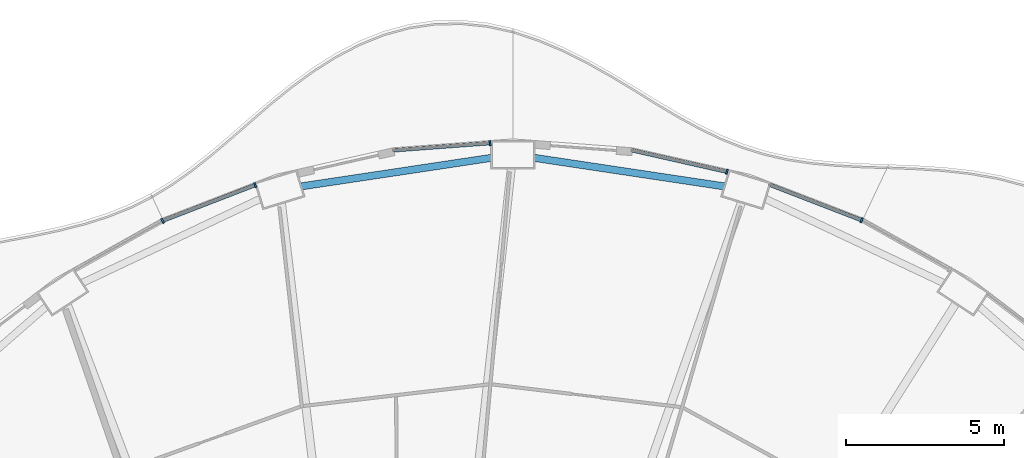
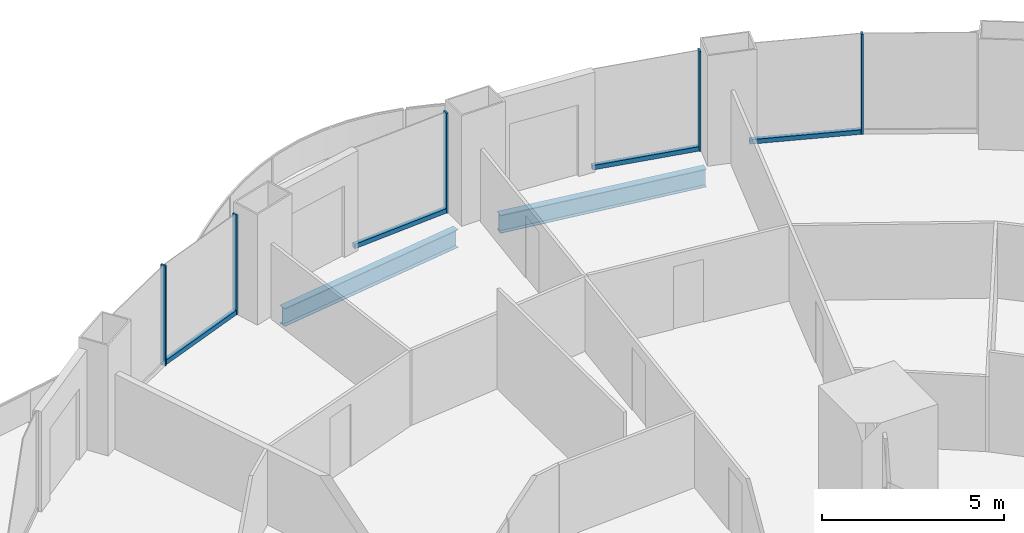
# One storey, part 11 of 22: 9 members, 2 beams, 5 elements without a shape of their own.
"""IFC4 building model written with IfcOpenShell, lengths in metres."""

from ifc_helpers import new_model, si_unit, direction, frame, origin, origin_2d, place, context, subcontext, project, spatial, rectangle, i_section, extrude, material, layer, layer_set, material_profile, profile_set, type_object, element, aggregate, save


model = new_model("IFC4")

# Units and contexts
model_context = context("Model", 3, precision=1e-05, world=origin(), true_north=direction((0.0, 1.0)))
body_context = subcontext(model_context, "Body", "Model", "MODEL_VIEW")
ifc_project = project(units=[si_unit("LENGTHUNIT", "METRE"), si_unit("AREAUNIT", "SQUARE_METRE"), si_unit("VOLUMEUNIT", "CUBIC_METRE"), si_unit("PLANEANGLEUNIT", "RADIAN"), si_unit("MASSUNIT", "GRAM", prefix="KILO")], contexts=[model_context])

# Site, building, storey
site_placement = place(None, origin())
site = spatial("IfcSite", under=ifc_project, at=site_placement, CompositionType="ELEMENT")
building_placement = place(site_placement, origin())
building = spatial("IfcBuilding", under=site, at=building_placement, Name="Nagisa Residences", CompositionType="ELEMENT")
storey_placement = place(building_placement, frame((0.0, 0.0, 64.0)))
storey = spatial("IfcBuildingStorey", under=building, at=storey_placement, Name="L15", CompositionType="ELEMENT", Elevation=64.0)

# Curtain wall, member
ifc_material_1 = material(Name="Concrete-coloured aluminium curtain wall system", Category="concrete")
ifc_layer = layer(ifc_material_1, 0.159912109375)
ifc_layer_set = layer_set([ifc_layer], Name="CW1 CURTAIN WALL")
curtain_wall_type = type_object("IfcCurtainWallType", Name="CW1 CURTAIN WALL", PredefinedType="NOTDEFINED", material=ifc_layer_set)
curtain_wall_1_placement = place(storey_placement, origin())
curtain_wall_1 = element("IfcCurtainWall", 1, at=curtain_wall_1_placement, inside=storey, type_object=curtain_wall_type, Name="cw:CW1:L15:09", PredefinedType="NOTDEFINED")
ifc_material_2 = material(Name="Concrete-coloured aluminium", Category="concrete")
ifc_material_profile_1 = material_profile(ifc_material_2, rectangle(XDim=0.159912109375, YDim=0.06005859375, at=origin_2d()), Name="CW1 MULLION 160x60")
ifc_profile_set_1 = profile_set([ifc_material_profile_1], Name="Concrete-coloured aluminium")
member_type_1 = type_object("IfcMemberType", Name="CW1 MULLION 160x60", PredefinedType="MULLION", material=ifc_profile_set_1)
member_1_placement = place(storey_placement, frame((14.64111328125, 30.42431640625, 0.0), z_axis=(0.0, 0.0, 1.0), x_axis=(-0.360327770268, -0.932825759707, 0.0)))
member_1 = element("IfcMember", 2, at=member_1_placement, type_object=member_type_1, Name="CW1 mullion", PredefinedType="MULLION", context=body_context, shape_type="SweptSolid", body=[
    extrude(rectangle(XDim=0.159912109375, YDim=0.06005859375, at=origin_2d()), origin(), (0.0, 0.0, 1.0), 3.35009765625),
])

curtain_wall_2_placement = place(storey_placement, origin())
curtain_wall_2 = element("IfcCurtainWall", 3, at=curtain_wall_2_placement, inside=storey, type_object=curtain_wall_type, Name="cw:CW1:L15:10", PredefinedType="NOTDEFINED")
member_2_placement = place(storey_placement, frame((10.376220703125, 31.958740234375, 0.0), z_axis=(0.0, 0.0, 1.0), x_axis=(-0.2207639201, -0.975327274089, 0.0)))
member_2 = element("IfcMember", 4, at=member_2_placement, type_object=member_type_1, Name="CW1 mullion", PredefinedType="MULLION", context=body_context, shape_type="SweptSolid", body=[
    extrude(rectangle(XDim=0.159912109375, YDim=0.06005859375, at=origin_2d()), origin(), (0.0, 0.0, 1.0), 3.35009765625),
])

curtain_wall_3_placement = place(storey_placement, origin())
curtain_wall_3 = element("IfcCurtainWall", 5, at=curtain_wall_3_placement, inside=storey, type_object=curtain_wall_type, Name="cw:CW1:L15:12", PredefinedType="NOTDEFINED")
member_3_placement = place(storey_placement, frame((2.8779296875, 32.865966796875, 0.0), z_axis=(0.0, 0.0, 1.0), x_axis=(0.074377355493, -0.997230168512, 0.0)))
member_3 = element("IfcMember", 6, at=member_3_placement, type_object=member_type_1, Name="CW1 mullion", PredefinedType="MULLION", context=body_context, shape_type="SweptSolid", body=[
    extrude(rectangle(XDim=0.159912109375, YDim=0.06005859375, at=origin_2d()), origin(), (0.0, 0.0, 1.0), 3.35009765625),
])

curtain_wall_4_placement = place(storey_placement, origin())
curtain_wall_4 = element("IfcCurtainWall", 7, at=curtain_wall_4_placement, inside=storey, type_object=curtain_wall_type, Name="cw:CW1:L15:14", PredefinedType="NOTDEFINED")
member_4_placement = place(storey_placement, frame((-4.557861328125, 31.537841796875, 0.0), z_axis=(0.0, 0.0, 1.0), x_axis=(0.360327770268, -0.932825759707, 0.0)))
member_4 = element("IfcMember", 8, at=member_4_placement, type_object=member_type_1, Name="CW1 mullion", PredefinedType="MULLION", context=body_context, shape_type="SweptSolid", body=[
    extrude(rectangle(XDim=0.159912109375, YDim=0.06005859375, at=origin_2d()), origin(), (0.0, 0.0, 1.0), 3.35009765625),
])

curtain_wall_5_placement = place(storey_placement, origin())
curtain_wall_5 = element("IfcCurtainWall", 9, at=curtain_wall_5_placement, inside=storey, type_object=curtain_wall_type, Name="cw:CW1:L15:15", PredefinedType="NOTDEFINED")
member_5_placement = place(storey_placement, frame((-7.48486328125, 30.403564453125, 0.0), z_axis=(0.0, 0.0, 1.0), x_axis=(0.489376918501, -0.872072377523, 0.0)))
member_5 = element("IfcMember", 10, at=member_5_placement, type_object=member_type_1, Name="CW1 mullion", PredefinedType="MULLION", context=body_context, shape_type="SweptSolid", body=[
    extrude(rectangle(XDim=0.159912109375, YDim=0.06005859375, at=origin_2d()), origin(), (0.0, 0.0, 1.0), 3.35009765625),
])
aggregate(curtain_wall_5, [member_5])

# Member
ifc_material_3 = material(Name="Concrete-coloured aluminium", Category="concrete")
ifc_material_profile_2 = material_profile(ifc_material_3, rectangle(XDim=0.1201171875, YDim=0.14990234375, at=origin_2d()), Name="CW1 TRANSOM 120x150")
ifc_profile_set_2 = profile_set([ifc_material_profile_2], Name="Concrete-coloured aluminium")
member_type_2 = type_object("IfcMemberType", Name="CW1 TRANSOM 120x150", PredefinedType="USERDEFINED", material=ifc_profile_set_2)
member_6_placement = place(storey_placement, frame((14.6689453125, 30.413330078125, 0.074951171875), z_axis=(-0.932825366452, 0.360328788337, 0.0), x_axis=(-0.360328788337, -0.932825366452, 0.0)))
member_6 = element("IfcMember", 11, at=member_6_placement, type_object=member_type_2, Name="CW1 transom", ObjectType="TRANSOM", PredefinedType="USERDEFINED", context=body_context, shape_type="SweptSolid", body=[
    extrude(rectangle(XDim=0.1201171875, YDim=0.14990234375, at=origin_2d()), origin(), (0.0, 0.0, 1.0), 3.150634765625),
])

aggregate(curtain_wall_1, [member_1, member_6])

member_7_placement = place(storey_placement, frame((10.4052734375, 31.9521484375, 0.074951171875), z_axis=(-0.975331134677, 0.220746863466, 0.0), x_axis=(-0.220746863466, -0.975331134677, 0.0)))
member_7 = element("IfcMember", 12, at=member_7_placement, type_object=member_type_2, Name="CW1 transom", ObjectType="TRANSOM", PredefinedType="USERDEFINED", context=body_context, shape_type="SweptSolid", body=[
    extrude(rectangle(XDim=0.1201171875, YDim=0.14990234375, at=origin_2d()), origin(), (0.0, 0.0, 1.0), 3.114501953125),
])

aggregate(curtain_wall_2, [member_2, member_7])

member_8_placement = place(storey_placement, frame((2.907958984375, 32.8681640625, 0.074951171875), z_axis=(-0.997230834878, -0.074368420505, 0.0), x_axis=(0.074368420505, -0.997230834878, 0.0)))
member_8 = element("IfcMember", 13, at=member_8_placement, type_object=member_type_2, Name="CW1 transom", ObjectType="TRANSOM", PredefinedType="USERDEFINED", context=body_context, shape_type="SweptSolid", body=[
    extrude(rectangle(XDim=0.1201171875, YDim=0.14990234375, at=origin_2d()), origin(), (0.0, 0.0, 1.0), 3.095703125),
])

aggregate(curtain_wall_3, [member_3, member_8])

member_9_placement = place(storey_placement, frame((-4.52978515625, 31.548583984375, 0.074951171875), z_axis=(-0.932835426425, -0.360302743822, 0.0), x_axis=(0.360302743822, -0.932835426425, 0.0)))
member_9 = element("IfcMember", 14, at=member_9_placement, type_object=member_type_2, Name="CW1 transom", ObjectType="TRANSOM", PredefinedType="USERDEFINED", context=body_context, shape_type="SweptSolid", body=[
    extrude(rectangle(XDim=0.1201171875, YDim=0.14990234375, at=origin_2d()), origin(), (0.0, 0.0, 1.0), 3.15087890625),
])

aggregate(curtain_wall_4, [member_4, member_9])

# Beams
ifc_material_4 = material(Name="Steel ASTM A572 Gr 50", Category="steel")
ifc_material_profile_3 = material_profile(ifc_material_4, i_section(OverallWidth=0.22802734375, OverallDepth=0.60302734375, WebThickness=0.010498046875, FlangeThickness=0.014892578125, at=origin_2d()), Name="W610x101")
ifc_profile_set_3 = profile_set([ifc_material_profile_3], Name="Steel ASTM A572 Gr 50")
beam_type = type_object("IfcBeamType", Name="Perimeter ring beam W610x101", PredefinedType="BEAM", material=ifc_profile_set_3)
for number, where, z_axis, x_axis, name in (
    (15, (10.29638671875, 31.49462890625, -0.5615234375), (-0.988914559467, 0.14848566959, 0.0), (-0.14848566959, -0.988914559467, 0.0), "beam:L15:pb06"),
    (16, (2.919677734375, 32.39794921875, -0.5615234375), (-0.988914559467, -0.14848566959, 0.0), (0.14848566959, -0.988914559467, 0.0), "beam:L15:pb07"),
):
    element("IfcBeam", number, at=place(storey_placement, frame(where, z_axis=z_axis, x_axis=x_axis)), inside=storey, type_object=beam_type, Name=name, PredefinedType="BEAM", context=body_context, shape_type="SweptSolid", body=[
        extrude(i_section(OverallWidth=0.22802734375, OverallDepth=0.60302734375, WebThickness=0.010498046875, FlangeThickness=0.014892578125, at=origin_2d()), origin(), (0.0, 0.0, 1.0), 6.08349609375),
    ])

save(model, "model.ifc")
